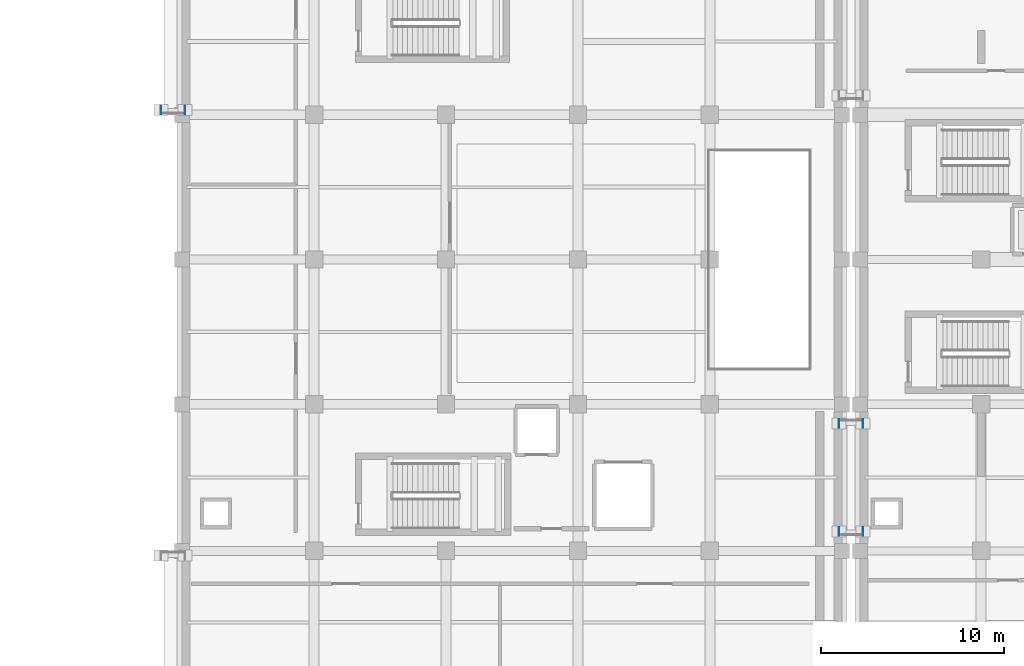
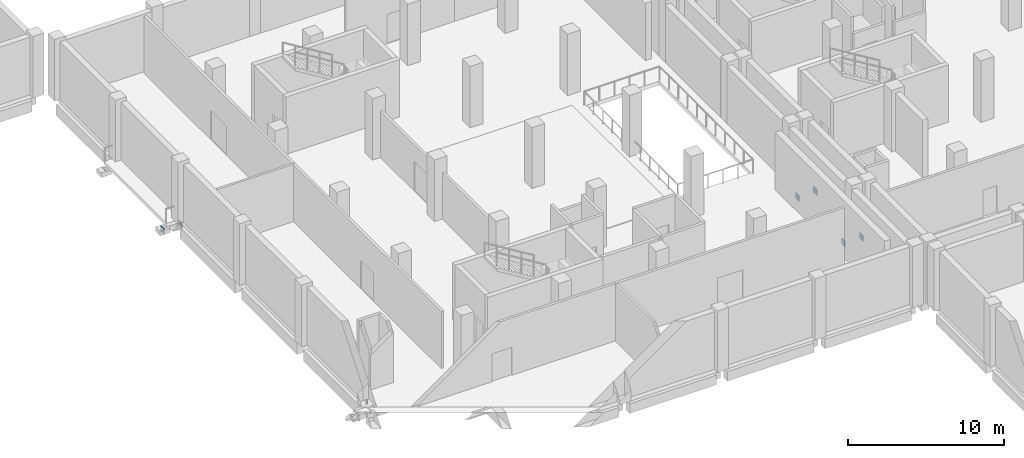
# One storey, part 22 of 31: 6 discrete accessories.
"""IFC4 building model written with IfcOpenShell, lengths in metres."""

from ifc_helpers import new_model, si_unit, direction, frame, origin, origin_2d, place, context, subcontext, project, spatial, rectangle, extrude, material, material_profile, profile_set, type_object, element, save


model = new_model("IFC4")

# Units and contexts
model_context = context("Model", 3, precision=1e-05, world=origin(), true_north=direction((0.0, 1.0)))
body_context = subcontext(model_context, "Body", "Model", "MODEL_VIEW")
ifc_project = project(units=[si_unit("LENGTHUNIT", "METRE"), si_unit("AREAUNIT", "SQUARE_METRE"), si_unit("VOLUMEUNIT", "CUBIC_METRE"), si_unit("PLANEANGLEUNIT", "RADIAN"), si_unit("MASSUNIT", "GRAM", prefix="KILO")], contexts=[model_context])

# Site, building, storey
site_placement = place(None, origin())
site = spatial("IfcSite", under=ifc_project, at=site_placement, CompositionType="ELEMENT")
building_placement = place(site_placement, origin())
building = spatial("IfcBuilding", under=site, at=building_placement, Name="Kelarvand Opera House", CompositionType="ELEMENT")
storey_placement = place(building_placement, frame((0.0, 0.0, -4.800048828125)))
storey = spatial("IfcBuildingStorey", under=building, at=storey_placement, Name="B1", CompositionType="ELEMENT", Elevation=-4.800048828125)

# Discrete accessories
ifc_material = material(Name="Steel S355", Category="steel")
ifc_material_profile = material_profile(ifc_material, rectangle(XDim=0.4599609375, YDim=0.4599609375, at=origin_2d()), Name="Welded Steel Hollow End-Cap Plate 460x460x24", Category="steel")
ifc_profile_set = profile_set([ifc_material_profile], Name="Steel S355")
discrete_accessory_type = type_object("IfcDiscreteAccessoryType", Name="Welded Steel Hollow End-Cap Plate 460x460x24", PredefinedType="SHOE", material=ifc_profile_set)
for number, where, z_axis, x_axis, name in (
    (1, (50.85791015625, 70.64990234375, -0.599853515625), (-1.0, 0.0, 0.0), (0.0, -1.0, 0.0), "Hollow Section Welded End Cap 5"),
    (2, (52.14208984375, 70.64990234375, -0.599853515625), (1.0, 0.0, 0.0), (0.0, 1.0, 0.0), "Hollow Section Welded End Cap 6"),
    (3, (87.85791015625, 47.64990234375, -0.599853515625), (-1.0, 0.0, 0.0), (0.0, -1.0, 0.0), "Hollow Section Welded End Cap 53"),
    (4, (89.14208984375, 47.64990234375, -0.599853515625), (1.0, 0.0, 0.0), (0.0, 1.0, 0.0), "Hollow Section Welded End Cap 54"),
    (5, (87.85791015625, 53.550048828125, -0.599853515625), (-1.0, 0.0, 0.0), (0.0, -1.0, 0.0), "Hollow Section Welded End Cap 55"),
    (6, (89.14208984375, 53.550048828125, -0.599853515625), (1.0, 0.0, 0.0), (0.0, 1.0, 0.0), "Hollow Section Welded End Cap 56"),
):
    element("IfcDiscreteAccessory", number, at=place(storey_placement, frame(where, z_axis=z_axis, x_axis=x_axis)), inside=storey, type_object=discrete_accessory_type, Name=name, PredefinedType="SHOE", context=body_context, shape_type="SweptSolid", body=[
        extrude(rectangle(XDim=0.4599609375, YDim=0.4599609375, at=origin_2d()), origin(), (0.0, 0.0, 1.0), 0.035888671875),
    ])

save(model, "model.ifc")
